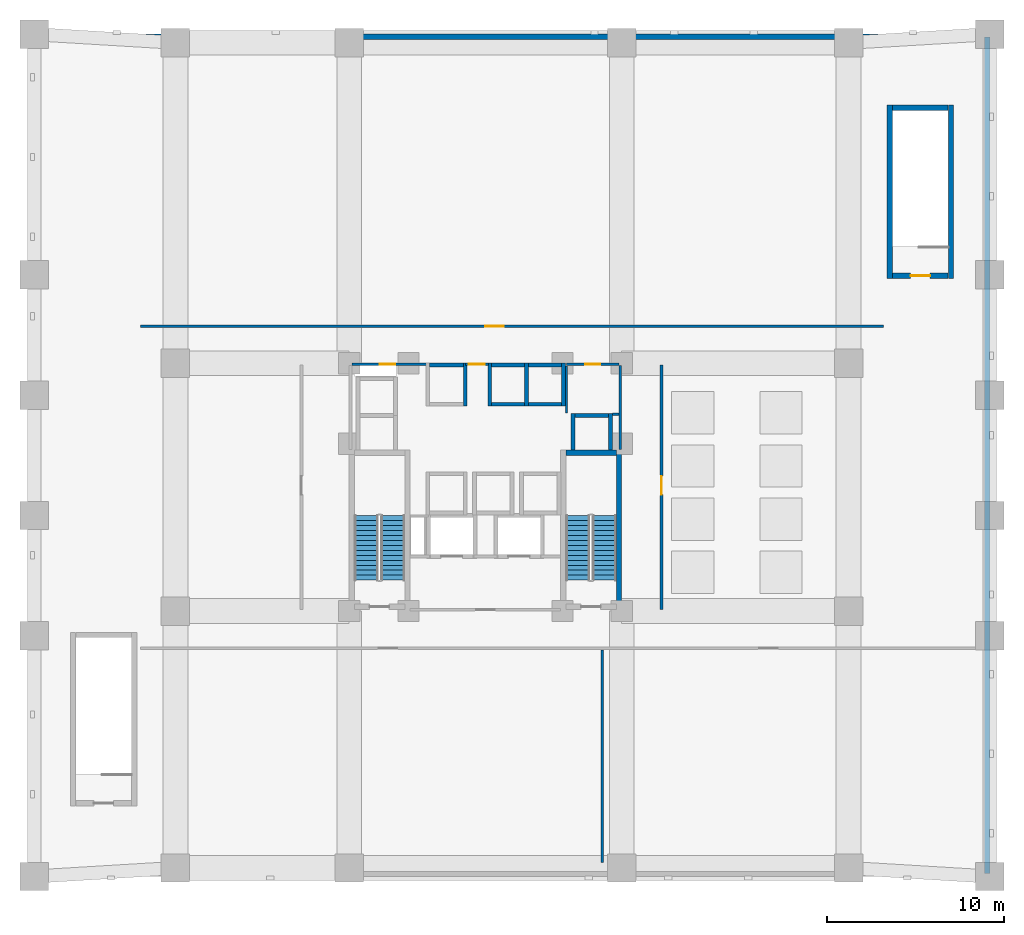
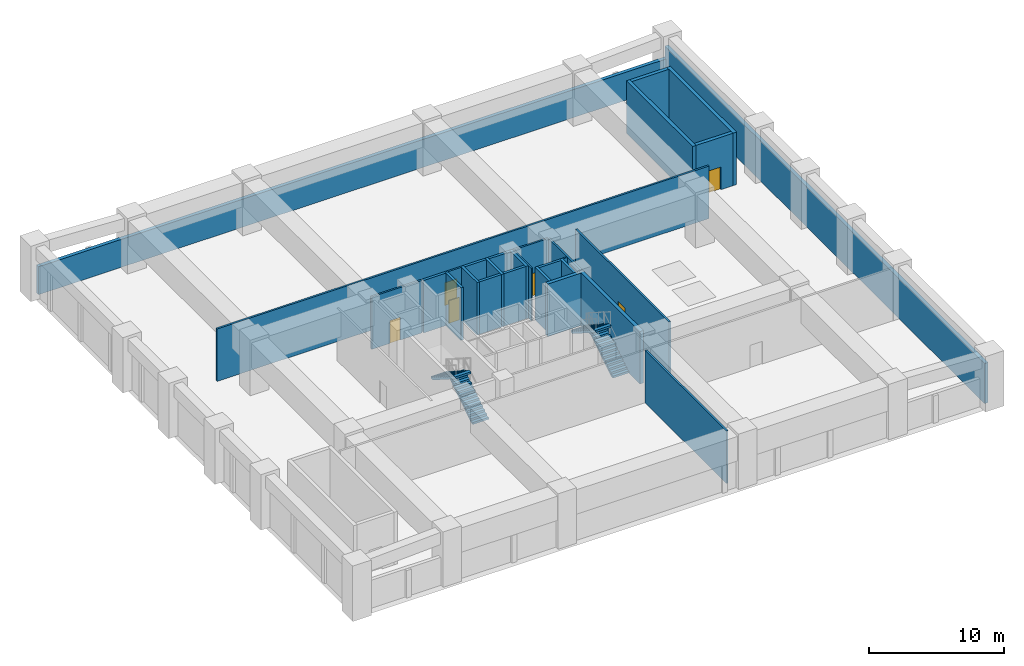
# One storey, part 3 of 6: 29 walls, 6 doors, 4 stair flights, 6 openings, 2 elements without a shape of their own.
"""IFC4 building model written with IfcOpenShell, lengths in metres."""

from ifc_helpers import new_model, si_unit, derived_unit, direction, frame, frame_2d, origin, place, context, subcontext, project, spatial, polyline, rectangle, outline, extrude, material, layer, layer_set, type_object, element, fill, aggregate, save


model = new_model("IFC4")

# Units and contexts
model_context = context("Model", 3, precision=1e-05, world=origin(), true_north=direction((0.0, 1.0)))
body_context = subcontext(model_context, "Body", "Model", "MODEL_VIEW")
ifc_project = project(units=[si_unit("LENGTHUNIT", "METRE"), si_unit("AREAUNIT", "SQUARE_METRE"), si_unit("VOLUMEUNIT", "CUBIC_METRE"), si_unit("PLANEANGLEUNIT", "RADIAN"), si_unit("MASSUNIT", "GRAM", prefix="KILO"), derived_unit("THERMALTRANSMITTANCEUNIT", [(si_unit("MASSUNIT", "GRAM", prefix="KILO"), 1), (si_unit("TIMEUNIT", "SECOND"), -3), (si_unit("THERMODYNAMICTEMPERATUREUNIT", "KELVIN"), -1)])], contexts=[model_context])

# Site, building, storey
site_placement = place(None, origin())
site = spatial("IfcSite", under=ifc_project, at=site_placement, CompositionType="ELEMENT")
building_placement = place(site_placement, origin())
building = spatial("IfcBuilding", under=site, at=building_placement, Name="Korrvale Station Residences", CompositionType="ELEMENT")
storey_placement = place(building_placement, frame((0.0, 0.0, 20.800048828125)))
storey = spatial("IfcBuildingStorey", under=building, at=storey_placement, Name="L04", CompositionType="ELEMENT", Elevation=20.800048828125)

# Walls
ifc_material_1 = material(Name="Concrete C70/85", Category="concrete")
ifc_layer_1 = layer(ifc_material_1, 0.300048828125, Name="Concrete C70/85")
ifc_layer_set_1 = layer_set([ifc_layer_1], Name="Concrete C70/85")
wall_type_1 = type_object("IfcWallType", Name="WAL-CORE-300-C70", PredefinedType="SHEAR", material=ifc_layer_set_1)
wall_1_placement = place(storey_placement, frame((33.050048828125, 15.10009765625, 0.0), z_axis=(0.0, 0.0, 1.0), x_axis=(0.0, 1.0, 0.0)))
element("IfcWall", 1, at=wall_1_placement, inside=storey, type_object=wall_type_1, Name="L04 ST-2 Core Shear Wall East", PredefinedType="SHEAR", context=body_context, shape_type="SweptSolid", body=[
    extrude(rectangle(XDim=9.0, YDim=0.300048828125, at=frame_2d((4.5, 0.0))), origin(), (0.0, 0.0, 1.0), 4.739990234375),
])
wall_2_placement = place(storey_placement, frame((30.050048828125, 23.949951171875, 0.0), z_axis=(0.0, 0.0, 1.0), x_axis=(1.0, 0.0, 0.0)))
element("IfcWall", 2, at=wall_2_placement, inside=storey, type_object=wall_type_1, Name="L04 ST-2 Core Shear Wall North", PredefinedType="SHEAR", context=body_context, shape_type="SweptSolid", body=[
    extrude(rectangle(XDim=2.849853515625, YDim=0.300048828125, at=frame_2d((1.4248046875, 0.0))), origin(), (0.0, 0.0, 1.0), 4.739990234375),
])
for number, where, z_axis, x_axis, name in (
    (3, (48.35009765625, 33.800048828125, 0.0), (0.0, 0.0, 1.0), (0.0, 1.0, 0.0), "L04 ST-4 Core Shear Wall West"),
    (4, (51.800048828125, 33.800048828125, 0.0), (0.0, 0.0, 1.0), (0.0, 1.0, 0.0), "L04 ST-4 Core Shear Wall East"),
):
    element("IfcWall", number, at=place(storey_placement, frame(where, z_axis=z_axis, x_axis=x_axis)), inside=storey, type_object=wall_type_1, Name=name, PredefinedType="SHEAR", context=body_context, shape_type="SweptSolid", body=[
        extrude(rectangle(XDim=9.800048828125, YDim=0.300048828125, at=frame_2d((4.89990234375, 0.0))), origin(), (0.0, 0.0, 1.0), 4.739990234375),
    ])
wall_3_placement = place(storey_placement, frame((48.5, 43.449951171875, 0.0), z_axis=(0.0, 0.0, 1.0), x_axis=(1.0, 0.0, 0.0)))
element("IfcWall", 5, at=wall_3_placement, inside=storey, type_object=wall_type_1, Name="L04 ST-4 Core Shear Wall North", PredefinedType="SHEAR", context=body_context, shape_type="SweptSolid", body=[
    extrude(rectangle(XDim=3.14990234375, YDim=0.300048828125, at=frame_2d((1.574951171875, 0.0))), origin(), (0.0, 0.0, 1.0), 4.739990234375),
])

# Wall, opening, door
wall_4_placement = place(storey_placement, frame((48.5, 33.949951171875, 0.0), z_axis=(0.0, 0.0, 1.0), x_axis=(1.0, 0.0, 0.0)))
wall_4 = element("IfcWall", 6, at=wall_4_placement, inside=storey, type_object=wall_type_1, Name="L04 ST-4 Core Shear Wall South", PredefinedType="SHEAR", context=body_context, shape_type="SweptSolid", body=[
    extrude(rectangle(XDim=3.14990234375, YDim=0.300048828125, at=frame_2d((1.574951171875, 0.0))), origin(), (0.0, 0.0, 1.0), 4.739990234375),
])
opening_1_placement = place(wall_4_placement, frame((1.02001953125, 0.0, 0.0)))
opening_1 = element("IfcOpeningElement", 7, at=opening_1_placement, cuts=wall_4, Name="Opening SD-1100", PredefinedType="OPENING", context=body_context, shape_type="SweptSolid", body=[
    extrude(rectangle(XDim=1.10009765625, YDim=2.050048828125, at=frame_2d((0.550048828125, 1.02490234375))), frame((0.0, 0.16015625, 0.0), z_axis=(0.0, -1.0, 0.0), x_axis=(1.0, 0.0, 0.0)), (0.0, 0.0, 1.0), 0.320068359375),
])
ifc_material_2 = material(Name="Hollow-metal fire-rated stair door with closer", Category="steel")
door_type_1 = type_object("IfcDoorType", Name="DR-STAIR-1100", OperationType="NOTDEFINED", PredefinedType="DOOR", material=ifc_material_2)
door_1_placement = place(opening_1_placement, origin())
door_1 = element("IfcDoor", 8, at=door_1_placement, inside=storey, type_object=door_type_1, Name="L04 ST-4 Exit Stair Door", OperationType="SINGLE_SWING_RIGHT", OverallHeight=2.050048828125, OverallWidth=1.10009765625, PredefinedType="DOOR", context=body_context, shape_type="SweptSolid", body=[
    extrude(rectangle(XDim=1.10009765625, YDim=2.050048828125, at=frame_2d((0.550048828125, 1.02490234375))), frame((0.0, 0.02490234375, 0.0), z_axis=(0.0, -1.0, 0.0), x_axis=(1.0, 0.0, 0.0)), (0.0, 0.0, 1.0), 0.050048828125),
])
fill(opening_1, door_1)

# Walls
ifc_material_3 = material(Name="Precast concrete C45/55", Category="concrete")
ifc_layer_2 = layer(ifc_material_3, 0.300048828125, Name="Precast concrete C45/55")
ifc_layer_set_2 = layer_set([ifc_layer_2], Name="Precast concrete C45/55")
wall_type_2 = type_object("IfcWallType", Name="WAL-EXT-PC300", PredefinedType="SOLIDWALL", material=ifc_layer_set_2)
wall_5_placement = place(storey_placement, frame((0.159912109375, 47.449951171875, 0.0), z_axis=(0.0, 0.0, 1.0), x_axis=(1.0, 0.0, 0.0)))
element("IfcWall", 9, at=wall_5_placement, inside=storey, type_object=wall_type_2, Name="L04 North Exterior Precast Wall 1", PredefinedType="SOLIDWALL", context=body_context, shape_type="SweptSolid", body=[
    extrude(rectangle(XDim=53.68017578125, YDim=0.300048828125, at=frame_2d((26.840087890625, 0.0))), origin(), (0.0, 0.0, 1.0), 2.52490234375),
])
wall_6_placement = place(storey_placement, frame((53.85009765625, 47.43994140625, 0.0), z_axis=(0.0, 0.0, 1.0), x_axis=(0.0, -1.0, 0.0)))
element("IfcWall", 10, at=wall_6_placement, inside=storey, type_object=wall_type_2, Name="L04 East Exterior Precast Wall 1", PredefinedType="SOLIDWALL", context=body_context, shape_type="SweptSolid", body=[
    extrude(rectangle(XDim=47.280029296875, YDim=0.300048828125, at=frame_2d((23.64013671875, 0.0))), origin(), (0.0, 0.0, 1.0), 3.625),
])
ifc_material_4 = material(Name="Acoustic steel-stud gypsum board partition", Category="steel")
ifc_layer_3 = layer(ifc_material_4, 0.1201171875, Name="Acoustic steel-stud gypsum board partition")
ifc_layer_set_3 = layer_set([ifc_layer_3], Name="Acoustic steel-stud gypsum board partition")
wall_type_3 = type_object("IfcWallType", Name="WAL-PART-125", PredefinedType="PARTITIONING", material=ifc_layer_set_3)
wall_7_placement = place(storey_placement, frame((30.080078125, 26.179931640625, 0.0), z_axis=(0.0, 0.0, 1.0), x_axis=(0.0, 1.0, 0.0)))
element("IfcWall", 11, at=wall_7_placement, inside=storey, type_object=wall_type_3, Name="L04 Core Partition CW-CS-W", PredefinedType="PARTITIONING", context=body_context, shape_type="SweptSolid", body=[
    extrude(rectangle(XDim=2.68017578125, YDim=0.1201171875, at=frame_2d((1.340087890625, 0.0))), origin(), (0.0, 0.0, 1.0), 4.739990234375),
])
wall_8_placement = place(storey_placement, frame((32.679931640625, 26.1201171875, 0.0), z_axis=(0.0, 0.0, 1.0), x_axis=(1.0, 0.0, 0.0)))
element("IfcWall", 12, at=wall_8_placement, inside=storey, type_object=wall_type_3, Name="L04 Core Partition CW-CS-S", PredefinedType="PARTITIONING", context=body_context, shape_type="SweptSolid", body=[
    extrude(rectangle(XDim=0.380126953125, YDim=0.1201171875, at=frame_2d((0.18994140625, 0.0))), origin(), (0.0, 0.0, 1.0), 4.739990234375),
])
ifc_material_5 = material(Name="Fire-rated twin-stud gypsum and mineral wool shaftwall assembly", Category="gypsum")
ifc_layer_4 = layer(ifc_material_5, 0.159912109375, Name="Fire-rated twin-stud gypsum and mineral wool shaftwall assembly")
ifc_layer_set_4 = layer_set([ifc_layer_4], Name="Fire-rated twin-stud gypsum and mineral wool shaftwall assembly")
wall_type_4 = type_object("IfcWallType", Name="WAL-PART-200", PredefinedType="PARTITIONING", material=ifc_layer_set_4)
wall_9_placement = place(storey_placement, frame((33.1201171875, 24.1201171875, 0.0), z_axis=(0.0, 0.0, 1.0), x_axis=(0.0, 1.0, 0.0)))
element("IfcWall", 13, at=wall_9_placement, inside=storey, type_object=wall_type_4, Name="L04 Core Partition CW-E-N", PredefinedType="PARTITIONING", context=body_context, shape_type="SweptSolid", body=[
    extrude(rectangle(XDim=4.759765625, YDim=0.159912109375, at=frame_2d((2.3798828125, 0.0))), origin(), (0.0, 0.0, 1.0), 4.739990234375),
])

# Wall, opening, door
wall_10_placement = place(storey_placement, frame((24.360107421875, 28.949951171875, 0.0), z_axis=(0.0, 0.0, 1.0), x_axis=(1.0, 0.0, 0.0)))
wall_10 = element("IfcWall", 14, at=wall_10_placement, inside=storey, type_object=wall_type_4, Name="L04 Core Partition CW-LLOB-N", PredefinedType="PARTITIONING", context=body_context, shape_type="SweptSolid", body=[
    extrude(rectangle(XDim=1.31982421875, YDim=0.159912109375, at=frame_2d((0.659912109375, 0.0))), origin(), (0.0, 0.0, 1.0), 4.739990234375),
])
opening_2_placement = place(wall_10_placement, frame((0.2099609375, 0.0, 0.0)))
opening_2 = element("IfcOpeningElement", 15, at=opening_2_placement, cuts=wall_10, Name="Opening DI-900", PredefinedType="OPENING", context=body_context, shape_type="SweptSolid", body=[
    extrude(rectangle(XDim=0.89990234375, YDim=2.050048828125, at=frame_2d((0.449951171875, 1.02490234375))), frame((0.0, 0.08984375, 0.0), z_axis=(0.0, -1.0, 0.0), x_axis=(1.0, 0.0, 0.0)), (0.0, 0.0, 1.0), 0.179931640625),
])
ifc_material_6 = material(Name="Painted solid-core timber interior room door", Category="wood")
door_type_2 = type_object("IfcDoorType", Name="DR-INT-900", OperationType="NOTDEFINED", PredefinedType="DOOR", material=ifc_material_6)
door_2_placement = place(opening_2_placement, origin())
door_2 = element("IfcDoor", 16, at=door_2_placement, inside=storey, type_object=door_type_2, Name="L04 Central Hallway North Passage Door", OperationType="SINGLE_SWING_LEFT", OverallHeight=2.050048828125, OverallWidth=0.89990234375, PredefinedType="DOOR", context=body_context, shape_type="SweptSolid", body=[
    extrude(rectangle(XDim=0.89990234375, YDim=2.050048828125, at=frame_2d((0.449951171875, 1.02490234375))), frame((0.0, 0.02490234375, 0.0), z_axis=(0.0, -1.0, 0.0), x_axis=(1.0, 0.0, 0.0)), (0.0, 0.0, 1.0), 0.050048828125),
])
fill(opening_2, door_2)

wall_11_placement = place(storey_placement, frame((17.9599609375, 28.949951171875, 0.0), z_axis=(0.0, 0.0, 1.0), x_axis=(1.0, 0.0, 0.0)))
wall_11 = element("IfcWall", 17, at=wall_11_placement, inside=storey, type_object=wall_type_4, Name="L04 Core Partition CW-NW", PredefinedType="PARTITIONING", context=body_context, shape_type="SweptSolid", body=[
    extrude(rectangle(XDim=4.2900390625, YDim=0.159912109375, at=frame_2d((2.14501953125, 0.0))), origin(), (0.0, 0.0, 1.0), 4.739990234375),
])
opening_3_placement = place(wall_11_placement, frame((1.570068359375, 0.0, 0.0)))
opening_3 = element("IfcOpeningElement", 18, at=opening_3_placement, cuts=wall_11, Name="Opening DB-860", PredefinedType="OPENING", context=body_context, shape_type="SweptSolid", body=[
    extrude(rectangle(XDim=0.860107421875, YDim=2.050048828125, at=frame_2d((0.43017578125, 1.02490234375))), frame((0.0, 0.08984375, 0.0), z_axis=(0.0, -1.0, 0.0), x_axis=(1.0, 0.0, 0.0)), (0.0, 0.0, 1.0), 0.179931640625),
])
ifc_material_7 = material(Name="Moisture-resistant solid-core bathroom door", Category="timber")
door_type_3 = type_object("IfcDoorType", Name="DR-BATH-860", OperationType="NOTDEFINED", PredefinedType="DOOR", material=ifc_material_7)
door_3_placement = place(opening_3_placement, origin())
door_3 = element("IfcDoor", 19, at=door_3_placement, inside=storey, type_object=door_type_3, Name="L04 Electrical Riser Access Door", OperationType="SINGLE_SWING_RIGHT", OverallHeight=2.050048828125, OverallWidth=0.860107421875, PredefinedType="DOOR", context=body_context, shape_type="SweptSolid", body=[
    extrude(rectangle(XDim=0.860107421875, YDim=2.050048828125, at=frame_2d((0.43017578125, 1.02490234375))), frame((0.0, 0.02490234375, 0.0), z_axis=(0.0, -1.0, 0.0), x_axis=(1.0, 0.0, 0.0)), (0.0, 0.0, 1.0), 0.050048828125),
])
fill(opening_3, door_3)

wall_12_placement = place(storey_placement, frame((30.080078125, 28.949951171875, 0.0), z_axis=(0.0, 0.0, 1.0), x_axis=(1.0, 0.0, 0.0)))
wall_12 = element("IfcWall", 20, at=wall_12_placement, inside=storey, type_object=wall_type_4, Name="L04 Core Partition CW-CS-N", PredefinedType="PARTITIONING", context=body_context, shape_type="SweptSolid", body=[
    extrude(rectangle(XDim=2.9599609375, YDim=0.159912109375, at=frame_2d((1.47998046875, 0.0))), origin(), (0.0, 0.0, 1.0), 4.739990234375),
])
opening_4_placement = place(wall_12_placement, frame((1.044921875, 0.0, 0.0)))
opening_4 = element("IfcOpeningElement", 21, at=opening_4_placement, cuts=wall_12, Name="Opening DB-860", PredefinedType="OPENING", context=body_context, shape_type="SweptSolid", body=[
    extrude(rectangle(XDim=0.860107421875, YDim=2.050048828125, at=frame_2d((0.43017578125, 1.02490234375))), frame((0.0, 0.08984375, 0.0), z_axis=(0.0, -1.0, 0.0), x_axis=(1.0, 0.0, 0.0)), (0.0, 0.0, 1.0), 0.179931640625),
])
door_4_placement = place(opening_4_placement, origin())
door_4 = element("IfcDoor", 22, at=door_4_placement, inside=storey, type_object=door_type_3, Name="L04 Core Equipment Room Door", OperationType="SINGLE_SWING_LEFT", OverallHeight=2.050048828125, OverallWidth=0.860107421875, PredefinedType="DOOR", context=body_context, shape_type="SweptSolid", body=[
    extrude(rectangle(XDim=0.860107421875, YDim=2.050048828125, at=frame_2d((0.43017578125, 1.02490234375))), frame((0.0, 0.02490234375, 0.0), z_axis=(0.0, -1.0, 0.0), x_axis=(1.0, 0.0, 0.0)), (0.0, 0.0, 1.0), 0.050048828125),
])
fill(opening_4, door_4)

# Wall
wall_13_placement = place(storey_placement, frame((32.10009765625, 0.800048828125, 0.0), z_axis=(0.0, 0.0, 1.0), x_axis=(0.0, 1.0, 0.0)))
element("IfcWall", 23, at=wall_13_placement, inside=storey, type_object=wall_type_4, Name="L04 Interior Partition W-MM", PredefinedType="PARTITIONING", context=body_context, shape_type="SweptSolid", body=[
    extrude(rectangle(XDim=12.0, YDim=0.159912109375, at=frame_2d((6.0, 0.0))), origin(), (0.0, 0.0, 1.0), 4.739990234375),
])

# Wall, opening, door
wall_14_placement = place(storey_placement, frame((6.0, 31.10009765625, 0.0), z_axis=(0.0, 0.0, 1.0), x_axis=(1.0, 0.0, 0.0)))
wall_14 = element("IfcWall", 24, at=wall_14_placement, inside=storey, type_object=wall_type_4, Name="L04 Interior Partition W-MN", PredefinedType="PARTITIONING", context=body_context, shape_type="SweptSolid", body=[
    extrude(rectangle(XDim=42.0, YDim=0.159912109375, at=frame_2d((21.0, 0.0))), origin(), (0.0, 0.0, 1.0), 4.739990234375),
])
opening_5_placement = place(wall_14_placement, frame((19.47509765625, 0.0, 0.0)))
opening_5 = element("IfcOpeningElement", 25, at=opening_5_placement, cuts=wall_14, Name="Opening FD-1050", PredefinedType="OPENING", context=body_context, shape_type="SweptSolid", body=[
    extrude(rectangle(XDim=1.050048828125, YDim=2.050048828125, at=frame_2d((0.52490234375, 1.02490234375))), frame((0.0, 0.08984375, 0.0), z_axis=(0.0, -1.0, 0.0), x_axis=(1.0, 0.0, 0.0)), (0.0, 0.0, 1.0), 0.179931640625),
])
ifc_material_8 = material(Name="Fire-rated mineral-core timber lobby door", Category="wood")
door_type_4 = type_object("IfcDoorType", Name="DR-CORE-1050", OperationType="NOTDEFINED", PredefinedType="DOOR", material=ifc_material_8)
door_5_placement = place(opening_5_placement, origin())
door_5 = element("IfcDoor", 26, at=door_5_placement, inside=storey, type_object=door_type_4, Name="L04 AHU Plant Room Door", OperationType="SINGLE_SWING_RIGHT", OverallHeight=2.050048828125, OverallWidth=1.050048828125, PredefinedType="DOOR", context=body_context, shape_type="SweptSolid", body=[
    extrude(rectangle(XDim=1.050048828125, YDim=2.050048828125, at=frame_2d((0.52490234375, 1.02490234375))), frame((0.0, 0.02490234375, 0.0), z_axis=(0.0, -1.0, 0.0), x_axis=(1.0, 0.0, 0.0)), (0.0, 0.0, 1.0), 0.050048828125),
])
fill(opening_5, door_5)

wall_15_placement = place(storey_placement, frame((35.449951171875, 15.10009765625, 0.0), z_axis=(0.0, 0.0, 1.0), x_axis=(0.0, 1.0, 0.0)))
wall_15 = element("IfcWall", 27, at=wall_15_placement, inside=storey, type_object=wall_type_4, Name="L04 Interior Partition W-ME", PredefinedType="PARTITIONING", context=body_context, shape_type="SweptSolid", body=[
    extrude(rectangle(XDim=13.7998046875, YDim=0.159912109375, at=frame_2d((6.89990234375, 0.0))), origin(), (0.0, 0.0, 1.0), 4.739990234375),
])
opening_6_placement = place(wall_15_placement, frame((6.47509765625, 0.0, 0.0)))
opening_6 = element("IfcOpeningElement", 28, at=opening_6_placement, cuts=wall_15, Name="Opening FD-1050", PredefinedType="OPENING", context=body_context, shape_type="SweptSolid", body=[
    extrude(rectangle(XDim=1.050048828125, YDim=2.050048828125, at=frame_2d((0.52490234375, 1.02490234375))), frame((0.0, 0.08984375, 0.0), z_axis=(0.0, -1.0, 0.0), x_axis=(1.0, 0.0, 0.0)), (0.0, 0.0, 1.0), 0.179931640625),
])
door_6_placement = place(opening_6_placement, origin())
door_6 = element("IfcDoor", 29, at=door_6_placement, inside=storey, type_object=door_type_4, Name="L04 BMS Control Room Door", OperationType="SINGLE_SWING_RIGHT", OverallHeight=2.050048828125, OverallWidth=1.050048828125, PredefinedType="DOOR", context=body_context, shape_type="SweptSolid", body=[
    extrude(rectangle(XDim=1.050048828125, YDim=2.050048828125, at=frame_2d((0.52490234375, 1.02490234375))), frame((0.0, 0.02490234375, 0.0), z_axis=(0.0, -1.0, 0.0), x_axis=(1.0, 0.0, 0.0)), (0.0, 0.0, 1.0), 0.050048828125),
])
fill(opening_6, door_6)

# Walls
ifc_layer_5 = layer(ifc_material_1, 0.219970703125, Name="Concrete C70/85")
ifc_layer_set_5 = layer_set([ifc_layer_5], Name="Concrete C70/85")
wall_type_5 = type_object("IfcWallType", Name="WAL-SHAFT-220-C70", PredefinedType="SHEAR", material=ifc_layer_set_5)
wall_16_placement = place(storey_placement, frame((22.35009765625, 28.909912109375, 0.0), z_axis=(0.0, 0.0, 1.0), x_axis=(1.0, 0.0, 0.0)))
element("IfcWall", 30, at=wall_16_placement, inside=storey, type_object=wall_type_5, Name="L04 Elevator PL-1 Hoistway Wall North", PredefinedType="SHEAR", context=body_context, shape_type="SweptSolid", body=[
    extrude(rectangle(XDim=1.89990234375, YDim=0.219970703125, at=frame_2d((0.949951171875, 0.0))), origin(), (0.0, 0.0, 1.0), 4.739990234375),
])
wall_17_placement = place(storey_placement, frame((24.360107421875, 26.580078125, 0.0), z_axis=(0.0, 0.0, 1.0), x_axis=(0.0, 1.0, 0.0)))
element("IfcWall", 31, at=wall_17_placement, inside=storey, type_object=wall_type_5, Name="L04 Elevator PL-1 Hoistway Wall East", PredefinedType="SHEAR", context=body_context, shape_type="SweptSolid", body=[
    extrude(rectangle(XDim=2.43994140625, YDim=0.219970703125, at=frame_2d((1.219970703125, 0.0))), origin(), (0.0, 0.0, 1.0), 4.739990234375),
])
for number, where, z_axis, x_axis, name in (
    (32, (25.85009765625, 26.68994140625, 0.0), (0.0, 0.0, 1.0), (1.0, 0.0, 0.0), "L04 Elevator PL-2 Hoistway Wall South"),
    (33, (25.85009765625, 28.909912109375, 0.0), (0.0, 0.0, 1.0), (1.0, 0.0, 0.0), "L04 Elevator PL-2 Hoistway Wall North"),
):
    element("IfcWall", number, at=place(storey_placement, frame(where, z_axis=z_axis, x_axis=x_axis)), inside=storey, type_object=wall_type_5, Name=name, PredefinedType="SHEAR", context=body_context, shape_type="SweptSolid", body=[
        extrude(rectangle(XDim=1.85986328125, YDim=0.219970703125, at=frame_2d((0.929931640625, 0.0))), origin(), (0.0, 0.0, 1.0), 4.739990234375),
    ])
for number, where, z_axis, x_axis, name in (
    (34, (25.739990234375, 26.580078125, 0.0), (0.0, 0.0, 1.0), (0.0, 1.0, 0.0), "L04 Elevator PL-2 Hoistway Wall West"),
    (35, (27.820068359375, 26.580078125, 0.0), (0.0, 0.0, 1.0), (0.0, 1.0, 0.0), "L04 Elevator PL-2 Hoistway Wall East"),
):
    element("IfcWall", number, at=place(storey_placement, frame(where, z_axis=z_axis, x_axis=x_axis)), inside=storey, type_object=wall_type_5, Name=name, PredefinedType="SHEAR", context=body_context, shape_type="SweptSolid", body=[
        extrude(rectangle(XDim=2.43994140625, YDim=0.219970703125, at=frame_2d((1.219970703125, 0.0))), origin(), (0.0, 0.0, 1.0), 4.739990234375),
    ])
for number, where, z_axis, x_axis, name in (
    (36, (27.929931640625, 26.68994140625, 0.0), (0.0, 0.0, 1.0), (1.0, 0.0, 0.0), "L04 Elevator PL-3 Hoistway Wall South"),
    (37, (27.929931640625, 28.909912109375, 0.0), (0.0, 0.0, 1.0), (1.0, 0.0, 0.0), "L04 Elevator PL-3 Hoistway Wall North"),
):
    element("IfcWall", number, at=place(storey_placement, frame(where, z_axis=z_axis, x_axis=x_axis)), inside=storey, type_object=wall_type_5, Name=name, PredefinedType="SHEAR", context=body_context, shape_type="SweptSolid", body=[
        extrude(rectangle(XDim=1.860107421875, YDim=0.219970703125, at=frame_2d((0.93017578125, 0.0))), origin(), (0.0, 0.0, 1.0), 4.739990234375),
    ])
wall_18_placement = place(storey_placement, frame((29.89990234375, 26.580078125, 0.0), z_axis=(0.0, 0.0, 1.0), x_axis=(0.0, 1.0, 0.0)))
element("IfcWall", 38, at=wall_18_placement, inside=storey, type_object=wall_type_5, Name="L04 Elevator PL-3 Hoistway Wall East", PredefinedType="SHEAR", context=body_context, shape_type="SweptSolid", body=[
    extrude(rectangle(XDim=2.43994140625, YDim=0.219970703125, at=frame_2d((1.219970703125, 0.0))), origin(), (0.0, 0.0, 1.0), 4.739990234375),
])
wall_19_placement = place(storey_placement, frame((30.550048828125, 26.06005859375, 0.0), z_axis=(0.0, 0.0, 1.0), x_axis=(1.0, 0.0, 0.0)))
element("IfcWall", 39, at=wall_19_placement, inside=storey, type_object=wall_type_5, Name="L04 Elevator PH-3 Hoistway Wall North", PredefinedType="SHEAR", context=body_context, shape_type="SweptSolid", body=[
    extrude(rectangle(XDim=1.89990234375, YDim=0.219970703125, at=frame_2d((0.949951171875, 0.0))), origin(), (0.0, 0.0, 1.0), 4.739990234375),
])
for number, where, z_axis, x_axis, name in (
    (40, (30.43994140625, 24.10009765625, 0.0), (0.0, 0.0, 1.0), (0.0, 1.0, 0.0), "L04 Elevator PH-3 Hoistway Wall West"),
    (41, (32.56005859375, 24.10009765625, 0.0), (0.0, 0.0, 1.0), (0.0, 1.0, 0.0), "L04 Elevator PH-3 Hoistway Wall East"),
):
    element("IfcWall", number, at=place(storey_placement, frame(where, z_axis=z_axis, x_axis=x_axis)), inside=storey, type_object=wall_type_5, Name=name, PredefinedType="SHEAR", context=body_context, shape_type="SweptSolid", body=[
        extrude(rectangle(XDim=2.06982421875, YDim=0.219970703125, at=frame_2d((1.034912109375, 0.0))), origin(), (0.0, 0.0, 1.0), 4.739990234375),
    ])

# Stair, stair flights
ifc_material_9 = material(Name="Concrete C50/60", Category="concrete")
stair_type = type_object("IfcStairType", Name="STR-DL-1350-28R-1786", PredefinedType="HALF_TURN_STAIR", material=ifc_material_9)
stair_1_placement = place(storey_placement, origin())
stair_1 = element("IfcStair", 42, at=stair_1_placement, inside=storey, type_object=stair_type, Name="L04 Exit Stair 1", PredefinedType="HALF_TURN_STAIR")
stair_flight_type = type_object("IfcStairFlightType", Name="FLT-DL-1350-28R-1786", PredefinedType="STRAIGHT", material=ifc_material_9)
stair_flight_1_placement = place(storey_placement, frame((20.27490234375, 16.75, 0.0), z_axis=(0.0, 0.0, 1.0), x_axis=(0.0, 1.0, 0.0)))
stair_flight_1 = element("IfcStairFlight", 43, at=stair_flight_1_placement, type_object=stair_flight_type, Name="ST-1 flight 1", NumberOfRisers=14, NumberOfTreads=13, PredefinedType="STRAIGHT", RiserHeight=0.178571429, TreadLength=0.28, context=body_context, shape_type="SweptSolid", body=[
    extrude(outline(polyline([(0.0, 0.0), (0.0, 0.178466796875), (0.280029296875, 0.178466796875), (0.280029296875, 0.357177734375), (0.56005859375, 0.357177734375), (0.56005859375, 0.53564453125), (0.840087890625, 0.53564453125), (0.840087890625, 0.71435546875), (1.1201171875, 0.71435546875), (1.1201171875, 0.892822265625), (1.39990234375, 0.892822265625), (1.39990234375, 1.071533203125), (1.679931640625, 1.071533203125), (1.679931640625, 1.25), (1.9599609375, 1.25), (1.9599609375, 1.428466796875), (2.239990234375, 1.428466796875), (2.239990234375, 1.607177734375), (2.52001953125, 1.607177734375), (2.52001953125, 1.78564453125), (2.800048828125, 1.78564453125), (2.800048828125, 1.96435546875), (3.080078125, 1.96435546875), (3.080078125, 2.142822265625), (3.360107421875, 2.142822265625), (3.360107421875, 2.321533203125), (3.639892578125, 2.321533203125), (3.639892578125, 2.5), (3.639892578125, 2.1435546875), (0.27880859375, 0.0), (0.0, 0.0)])), frame((0.0, 0.675048828125, 0.0), z_axis=(0.0, -1.0, 0.0), x_axis=(1.0, 0.0, 0.0)), (0.0, 0.0, 1.0), 1.35009765625),
])
stair_flight_2_placement = place(storey_placement, frame((18.77490234375, 20.389892578125, 2.5), z_axis=(0.0, 0.0, 1.0), x_axis=(0.0, -1.0, 0.0)))
stair_flight_2 = element("IfcStairFlight", 44, at=stair_flight_2_placement, type_object=stair_flight_type, Name="ST-1 flight 2", NumberOfRisers=14, NumberOfTreads=13, PredefinedType="STRAIGHT", RiserHeight=0.178571429, TreadLength=0.28, context=body_context, shape_type="SweptSolid", body=[
    extrude(outline(polyline([(0.0, 0.0), (0.0, 0.178466796875), (0.280029296875, 0.178466796875), (0.280029296875, 0.357177734375), (0.56005859375, 0.357177734375), (0.56005859375, 0.53564453125), (0.840087890625, 0.53564453125), (0.840087890625, 0.71435546875), (1.1201171875, 0.71435546875), (1.1201171875, 0.892822265625), (1.39990234375, 0.892822265625), (1.39990234375, 1.071533203125), (1.679931640625, 1.071533203125), (1.679931640625, 1.25), (1.9599609375, 1.25), (1.9599609375, 1.428466796875), (2.239990234375, 1.428466796875), (2.239990234375, 1.607177734375), (2.52001953125, 1.607177734375), (2.52001953125, 1.78564453125), (2.800048828125, 1.78564453125), (2.800048828125, 1.96435546875), (3.080078125, 1.96435546875), (3.080078125, 2.142822265625), (3.360107421875, 2.142822265625), (3.360107421875, 2.321533203125), (3.639892578125, 2.321533203125), (3.639892578125, 2.5), (3.639892578125, 2.1435546875), (0.27880859375, 0.0), (0.0, 0.0)])), frame((0.0, 0.675048828125, 0.0), z_axis=(0.0, -1.0, 0.0), x_axis=(1.0, 0.0, 0.0)), (0.0, 0.0, 1.0), 1.35009765625),
])
aggregate(stair_1, [stair_flight_1, stair_flight_2])

stair_2_placement = place(storey_placement, origin())
stair_2 = element("IfcStair", 45, at=stair_2_placement, inside=storey, type_object=stair_type, Name="L04 Exit Stair 2", PredefinedType="HALF_TURN_STAIR")
stair_flight_3_placement = place(storey_placement, frame((32.22509765625, 16.75, 0.0), z_axis=(0.0, 0.0, 1.0), x_axis=(0.0, 1.0, 0.0)))
stair_flight_3 = element("IfcStairFlight", 46, at=stair_flight_3_placement, type_object=stair_flight_type, Name="ST-2 flight 1", NumberOfRisers=14, NumberOfTreads=13, PredefinedType="STRAIGHT", RiserHeight=0.178571429, TreadLength=0.28, context=body_context, shape_type="SweptSolid", body=[
    extrude(outline(polyline([(0.0, 0.0), (0.0, 0.178466796875), (0.280029296875, 0.178466796875), (0.280029296875, 0.357177734375), (0.56005859375, 0.357177734375), (0.56005859375, 0.53564453125), (0.840087890625, 0.53564453125), (0.840087890625, 0.71435546875), (1.1201171875, 0.71435546875), (1.1201171875, 0.892822265625), (1.39990234375, 0.892822265625), (1.39990234375, 1.071533203125), (1.679931640625, 1.071533203125), (1.679931640625, 1.25), (1.9599609375, 1.25), (1.9599609375, 1.428466796875), (2.239990234375, 1.428466796875), (2.239990234375, 1.607177734375), (2.52001953125, 1.607177734375), (2.52001953125, 1.78564453125), (2.800048828125, 1.78564453125), (2.800048828125, 1.96435546875), (3.080078125, 1.96435546875), (3.080078125, 2.142822265625), (3.360107421875, 2.142822265625), (3.360107421875, 2.321533203125), (3.639892578125, 2.321533203125), (3.639892578125, 2.5), (3.639892578125, 2.1435546875), (0.27880859375, 0.0), (0.0, 0.0)])), frame((0.0, 0.675048828125, 0.0), z_axis=(0.0, -1.0, 0.0), x_axis=(1.0, 0.0, 0.0)), (0.0, 0.0, 1.0), 1.35009765625),
])
stair_flight_4_placement = place(storey_placement, frame((30.72509765625, 20.389892578125, 2.5), z_axis=(0.0, 0.0, 1.0), x_axis=(0.0, -1.0, 0.0)))
stair_flight_4 = element("IfcStairFlight", 47, at=stair_flight_4_placement, type_object=stair_flight_type, Name="ST-2 flight 2", NumberOfRisers=14, NumberOfTreads=13, PredefinedType="STRAIGHT", RiserHeight=0.178571429, TreadLength=0.28, context=body_context, shape_type="SweptSolid", body=[
    extrude(outline(polyline([(0.0, 0.0), (0.0, 0.178466796875), (0.280029296875, 0.178466796875), (0.280029296875, 0.357177734375), (0.56005859375, 0.357177734375), (0.56005859375, 0.53564453125), (0.840087890625, 0.53564453125), (0.840087890625, 0.71435546875), (1.1201171875, 0.71435546875), (1.1201171875, 0.892822265625), (1.39990234375, 0.892822265625), (1.39990234375, 1.071533203125), (1.679931640625, 1.071533203125), (1.679931640625, 1.25), (1.9599609375, 1.25), (1.9599609375, 1.428466796875), (2.239990234375, 1.428466796875), (2.239990234375, 1.607177734375), (2.52001953125, 1.607177734375), (2.52001953125, 1.78564453125), (2.800048828125, 1.78564453125), (2.800048828125, 1.96435546875), (3.080078125, 1.96435546875), (3.080078125, 2.142822265625), (3.360107421875, 2.142822265625), (3.360107421875, 2.321533203125), (3.639892578125, 2.321533203125), (3.639892578125, 2.5), (3.639892578125, 2.1435546875), (0.27880859375, 0.0), (0.0, 0.0)])), frame((0.0, 0.675048828125, 0.0), z_axis=(0.0, -1.0, 0.0), x_axis=(1.0, 0.0, 0.0)), (0.0, 0.0, 1.0), 1.35009765625),
])
aggregate(stair_2, [stair_flight_3, stair_flight_4])

save(model, "model.ifc")
